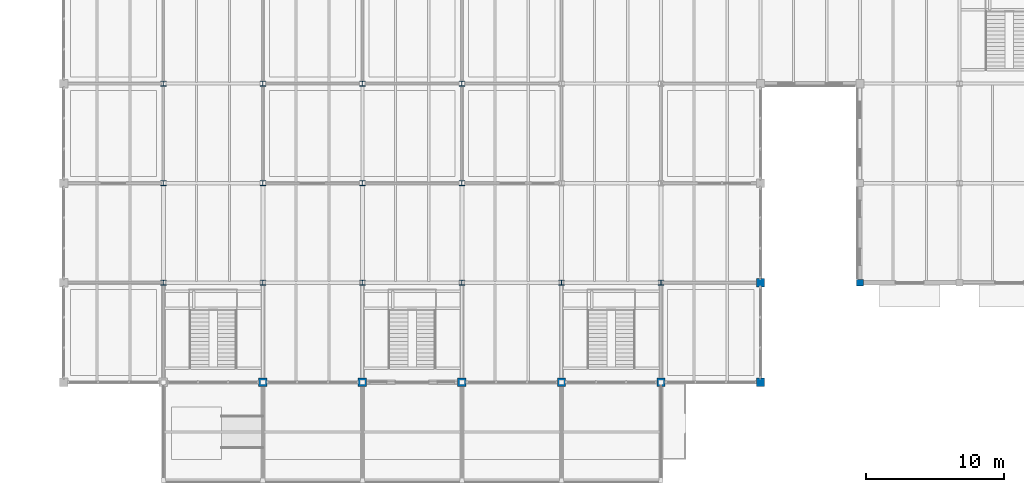
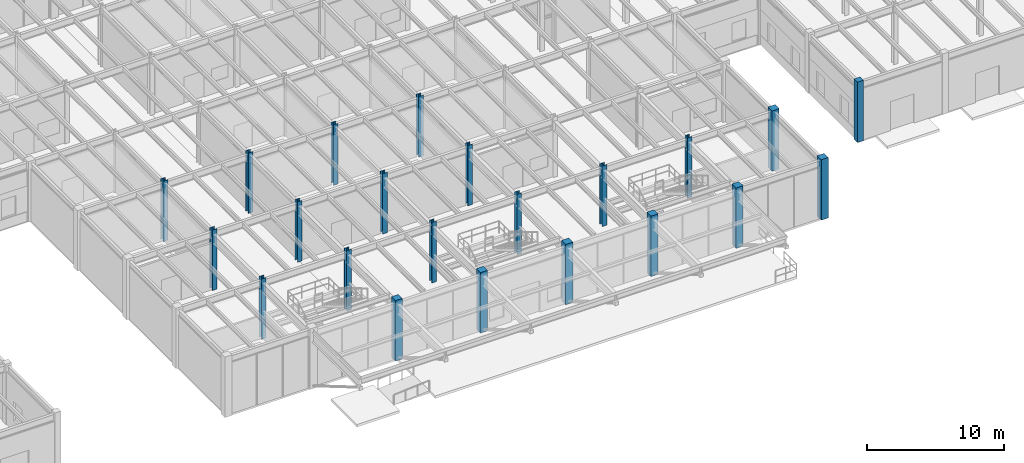
# One storey, part 5 of 97: 22 columns.
"""IFC4 building model written with IfcOpenShell, lengths in metres."""

from ifc_helpers import new_model, si_unit, direction, frame, origin, origin_2d, place, context, subcontext, project, spatial, rectangle, i_section, extrude, material, material_profile, profile_set, type_object, element, save


model = new_model("IFC4")

# Units and contexts
model_context = context("Model", 3, precision=1e-05, world=origin(), true_north=direction((0.0, 1.0)))
body_context = subcontext(model_context, "Body", "Model", "MODEL_VIEW")
ifc_project = project(units=[si_unit("LENGTHUNIT", "METRE"), si_unit("AREAUNIT", "SQUARE_METRE"), si_unit("VOLUMEUNIT", "CUBIC_METRE"), si_unit("PLANEANGLEUNIT", "RADIAN"), si_unit("MASSUNIT", "GRAM", prefix="KILO")], contexts=[model_context])

# Site, building, storey
site_placement = place(None, origin())
site = spatial("IfcSite", under=ifc_project, at=site_placement, CompositionType="ELEMENT")
building_placement = place(site_placement, origin())
building = spatial("IfcBuilding", under=site, at=building_placement, Name="Sillqori Civic Hall", CompositionType="ELEMENT")
storey_placement = place(building_placement, origin())
storey = spatial("IfcBuildingStorey", under=building, at=storey_placement, Name="L01", CompositionType="ELEMENT", Elevation=0.0)

# Columns
ifc_material_1 = material(Name="Concrete C35/45 (H35)", Category="concrete")
ifc_material_profile_1 = material_profile(ifc_material_1, rectangle(XDim=0.5, YDim=0.5, at=origin_2d()), Name="RC 500x500")
ifc_profile_set_1 = profile_set([ifc_material_profile_1], Name="Concrete C35/45 (H35)")
column_type_1 = type_object("IfcColumnType", Name="COL-RC500", PredefinedType="COLUMN", material=ifc_profile_set_1)
column_placement = place(storey_placement, frame((122.39990234375, 14.39990234375, 0.0), z_axis=(0.0, 0.0, 1.0), x_axis=(1.0, 0.0, 0.0)))
element("IfcColumn", 1, at=column_placement, inside=storey, type_object=column_type_1, Name="L01 column 17-2", PredefinedType="COLUMN", context=body_context, shape_type="SweptSolid", body=[
    extrude(rectangle(XDim=0.5, YDim=0.5, at=origin_2d()), origin(), (0.0, 0.0, 1.0), 5.39990234375),
])
ifc_material_profile_2 = material_profile(ifc_material_1, rectangle(XDim=0.60009765625, YDim=0.60009765625, at=origin_2d()), Name="RC 600x600")
ifc_profile_set_2 = profile_set([ifc_material_profile_2], Name="Concrete C35/45 (H35)")
column_type_2 = type_object("IfcColumnType", Name="COL-RC600", PredefinedType="COLUMN", material=ifc_profile_set_2)
for number, where, z_axis, x_axis, name in (
    (2, (79.199951171875, 7.199951171875, 0.0), (0.0, 0.0, 1.0), (1.0, 0.0, 0.0), "L01 column 11-1"),
    (3, (86.39990234375, 7.199951171875, 0.0), (0.0, 0.0, 1.0), (1.0, 0.0, 0.0), "L01 column 12-1"),
    (4, (93.60009765625, 7.199951171875, 0.0), (0.0, 0.0, 1.0), (1.0, 0.0, 0.0), "L01 column 13-1"),
    (5, (100.800048828125, 7.199951171875, 0.0), (0.0, 0.0, 1.0), (1.0, 0.0, 0.0), "L01 column 14-1"),
    (6, (108.0, 7.199951171875, 0.0), (0.0, 0.0, 1.0), (1.0, 0.0, 0.0), "L01 column 15-1"),
    (7, (115.199951171875, 7.199951171875, 0.0), (0.0, 0.0, 1.0), (1.0, 0.0, 0.0), "L01 column 16-1"),
    (8, (115.199951171875, 14.39990234375, 0.0), (0.0, 0.0, 1.0), (1.0, 0.0, 0.0), "L01 column 16-2"),
):
    element("IfcColumn", number, at=place(storey_placement, frame(where, z_axis=z_axis, x_axis=x_axis)), inside=storey, type_object=column_type_2, Name=name, PredefinedType="COLUMN", context=body_context, shape_type="SweptSolid", body=[
        extrude(rectangle(XDim=0.60009765625, YDim=0.60009765625, at=origin_2d()), origin(), (0.0, 0.0, 1.0), 5.39990234375),
    ])
ifc_material_2 = material(Name="Steel ASTM A992", Category="steel")
ifc_material_profile_3 = material_profile(ifc_material_2, i_section(OverallWidth=0.39404296875, OverallDepth=0.3759765625, WebThickness=0.017333984375, FlangeThickness=0.027587890625, FilletRadius=0.014892578125, at=origin_2d()), Name="W14X145")
ifc_profile_set_3 = profile_set([ifc_material_profile_3], Name="Steel ASTM A992")
column_type_3 = type_object("IfcColumnType", Name="COL-W14X145", PredefinedType="COLUMN", material=ifc_profile_set_3)
for number, where, z_axis, x_axis, name in (
    (9, (72.0, 14.39990234375, 0.0), (0.0, 0.0, 1.0), (1.0, 0.0, 0.0), "L01 column 10-2"),
    (10, (72.0, 21.60009765625, 0.0), (0.0, 0.0, 1.0), (1.0, 0.0, 0.0), "L01 column 10-3"),
    (11, (72.0, 28.800048828125, 0.0), (0.0, 0.0, 1.0), (1.0, 0.0, 0.0), "L01 column 10-4"),
    (12, (79.199951171875, 14.39990234375, 0.0), (0.0, 0.0, 1.0), (1.0, 0.0, 0.0), "L01 column 11-2"),
    (13, (79.199951171875, 21.60009765625, 0.0), (0.0, 0.0, 1.0), (1.0, 0.0, 0.0), "L01 column 11-3"),
    (14, (79.199951171875, 28.800048828125, 0.0), (0.0, 0.0, 1.0), (1.0, 0.0, 0.0), "L01 column 11-4"),
    (15, (86.39990234375, 14.39990234375, 0.0), (0.0, 0.0, 1.0), (1.0, 0.0, 0.0), "L01 column 12-2"),
    (16, (86.39990234375, 21.60009765625, 0.0), (0.0, 0.0, 1.0), (1.0, 0.0, 0.0), "L01 column 12-3"),
    (17, (86.39990234375, 28.800048828125, 0.0), (0.0, 0.0, 1.0), (1.0, 0.0, 0.0), "L01 column 12-4"),
    (18, (93.60009765625, 14.39990234375, 0.0), (0.0, 0.0, 1.0), (1.0, 0.0, 0.0), "L01 column 13-2"),
    (19, (93.60009765625, 21.60009765625, 0.0), (0.0, 0.0, 1.0), (1.0, 0.0, 0.0), "L01 column 13-3"),
    (20, (93.60009765625, 28.800048828125, 0.0), (0.0, 0.0, 1.0), (1.0, 0.0, 0.0), "L01 column 13-4"),
    (21, (100.800048828125, 14.39990234375, 0.0), (0.0, 0.0, 1.0), (1.0, 0.0, 0.0), "L01 column 14-2"),
    (22, (108.0, 14.39990234375, 0.0), (0.0, 0.0, 1.0), (1.0, 0.0, 0.0), "L01 column 15-2"),
):
    element("IfcColumn", number, at=place(storey_placement, frame(where, z_axis=z_axis, x_axis=x_axis)), inside=storey, type_object=column_type_3, Name=name, PredefinedType="COLUMN", context=body_context, shape_type="SweptSolid", body=[
        extrude(i_section(OverallWidth=0.39404296875, OverallDepth=0.3759765625, WebThickness=0.017333984375, FlangeThickness=0.027587890625, FilletRadius=0.014892578125, at=origin_2d()), origin(), (0.0, 0.0, 1.0), 5.39990234375),
    ])

save(model, "model.ifc")
